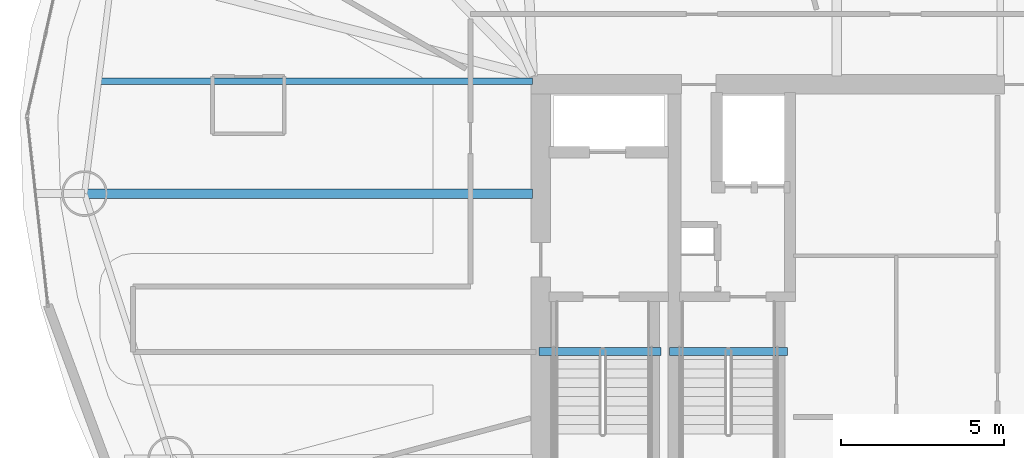
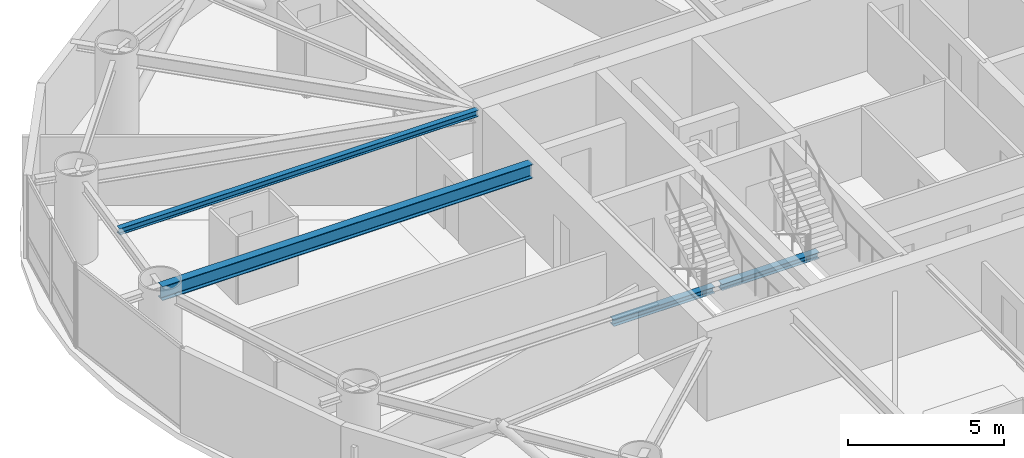
# One storey, part 5 of 22: 4 beams.
"""IFC4 building model written with IfcOpenShell, lengths in metres."""

from ifc_helpers import new_model, si_unit, direction, frame, origin, origin_2d, place, context, subcontext, project, spatial, i_section, extrude, material, material_profile, profile_set, type_object, element, save


model = new_model("IFC4")

# Units and contexts
model_context = context("Model", 3, precision=1e-05, world=origin(), true_north=direction((0.0, 1.0)))
body_context = subcontext(model_context, "Body", "Model", "MODEL_VIEW")
ifc_project = project(units=[si_unit("LENGTHUNIT", "METRE"), si_unit("AREAUNIT", "SQUARE_METRE"), si_unit("VOLUMEUNIT", "CUBIC_METRE"), si_unit("PLANEANGLEUNIT", "RADIAN"), si_unit("MASSUNIT", "GRAM", prefix="KILO")], contexts=[model_context])

# Site, building, storey
site_placement = place(None, origin())
site = spatial("IfcSite", under=ifc_project, at=site_placement, CompositionType="ELEMENT")
building_placement = place(site_placement, origin())
building = spatial("IfcBuilding", under=site, at=building_placement, Name="Bramvorn Convention Spire", CompositionType="ELEMENT")
storey_placement = place(building_placement, frame((0.0, 0.0, 127.300048828125)))
storey = spatial("IfcBuildingStorey", under=building, at=storey_placement, Name="L31", CompositionType="ELEMENT", Elevation=127.300048828125)

# Beams
ifc_material = material(Name="Steel CSA G40.21 Grade 350 (350W)", Category="steel")
ifc_material_profile_1 = material_profile(ifc_material, i_section(OverallWidth=0.201904296875, OverallDepth=0.2470703125, WebThickness=0.00732421875, FlangeThickness=0.010986328125, FilletRadius=0.011962890625, at=origin_2d()))
ifc_profile_set_1 = profile_set([ifc_material_profile_1], Name="Steel CSA G40.21 Grade 350 (350W) - W250X49")
beam_type_1 = type_object("IfcBeamType", Name="BM-W250X49", PredefinedType="JOIST", material=ifc_profile_set_1)
beam_1_placement = place(storey_placement, frame((26.75, 33.294921875, 3.136474609375), z_axis=(-1.0, 0.0, 0.0), x_axis=(0.0, -1.0, 0.0)))
element("IfcBeam", 1, at=beam_1_placement, inside=storey, type_object=beam_type_1, Name="L31 composite floor joist 09", PredefinedType="JOIST", context=body_context, shape_type="SweptSolid", body=[
    extrude(i_section(OverallWidth=0.201904296875, OverallDepth=0.2470703125, WebThickness=0.00732421875, FlangeThickness=0.010986328125, FilletRadius=0.011962890625, at=origin_2d()), origin(), (0.0, 0.0, 1.0), 13.30078125),
])
ifc_material_profile_2 = material_profile(ifc_material, i_section(OverallWidth=0.25390625, OverallDepth=0.2529296875, WebThickness=0.008544921875, FlangeThickness=0.01416015625, FilletRadius=0.011962890625, at=origin_2d()))
ifc_profile_set_2 = profile_set([ifc_material_profile_2], Name="Steel CSA G40.21 Grade 350 (350W) - W250X73")
beam_type_2 = type_object("IfcBeamType", Name="BM-W250X73", PredefinedType="BEAM", material=ifc_profile_set_2)
beam_2_placement = place(storey_placement, frame((26.949951171875, 25.010009765625, -0.12646484375), z_axis=(1.0, 0.0, 0.0), x_axis=(0.0, 1.0, 0.0)))
element("IfcBeam", 2, at=beam_2_placement, inside=storey, type_object=beam_type_2, Name="L31 ST1 stair arrival header beam", PredefinedType="BEAM", context=body_context, shape_type="SweptSolid", body=[
    extrude(i_section(OverallWidth=0.25390625, OverallDepth=0.2529296875, WebThickness=0.008544921875, FlangeThickness=0.01416015625, FilletRadius=0.011962890625, at=origin_2d()), origin(), (0.0, 0.0, 1.0), 3.739990234375),
])
beam_3_placement = place(storey_placement, frame((30.949951171875, 25.010009765625, -0.12646484375), z_axis=(1.0, 0.0, 0.0), x_axis=(0.0, 1.0, 0.0)))
element("IfcBeam", 3, at=beam_3_placement, inside=storey, type_object=beam_type_2, Name="L31 ST3 stair arrival header beam", PredefinedType="BEAM", context=body_context, shape_type="SweptSolid", body=[
    extrude(i_section(OverallWidth=0.25390625, OverallDepth=0.2529296875, WebThickness=0.008544921875, FlangeThickness=0.01416015625, FilletRadius=0.011962890625, at=origin_2d()), origin(), (0.0, 0.0, 1.0), 3.610107421875),
])
ifc_material_profile_3 = material_profile(ifc_material, i_section(OverallWidth=0.2919921875, OverallDepth=0.551025390625, WebThickness=0.01513671875, FlangeThickness=0.0244140625, FilletRadius=0.01904296875, at=origin_2d()))
ifc_profile_set_3 = profile_set([ifc_material_profile_3], Name="Steel CSA G40.21 Grade 350 (350W) - W530X182")
beam_type_3 = type_object("IfcBeamType", Name="BM-W530X182", PredefinedType="BEAM", material=ifc_profile_set_3)
beam_4_placement = place(storey_placement, frame((26.75, 29.851806640625, 2.984375), z_axis=(-1.0, 0.0, 0.0), x_axis=(0.0, -1.0, 0.0)))
element("IfcBeam", 4, at=beam_4_placement, inside=storey, type_object=beam_type_3, Name="L31 radial floor girder MC10", PredefinedType="BEAM", context=body_context, shape_type="SweptSolid", body=[
    extrude(i_section(OverallWidth=0.2919921875, OverallDepth=0.551025390625, WebThickness=0.01513671875, FlangeThickness=0.0244140625, FilletRadius=0.01904296875, at=origin_2d()), origin(), (0.0, 0.0, 1.0), 13.733642578125),
])

save(model, "model.ifc")
